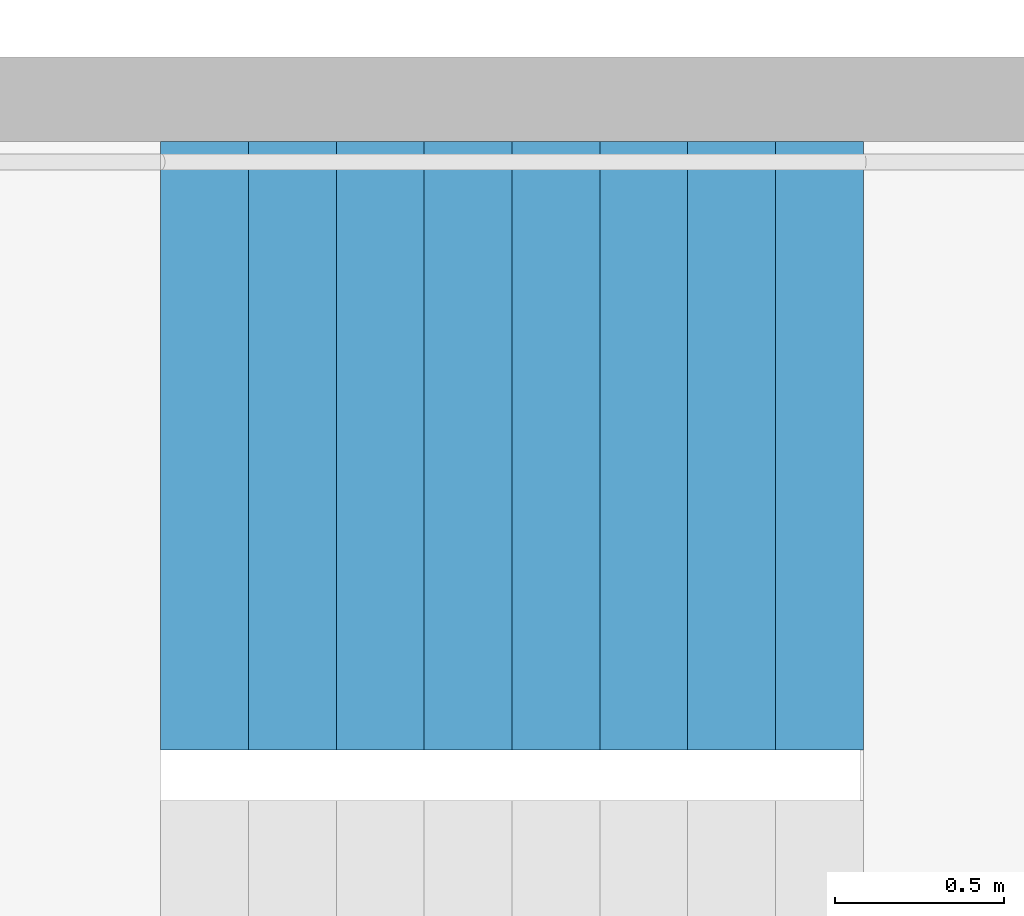
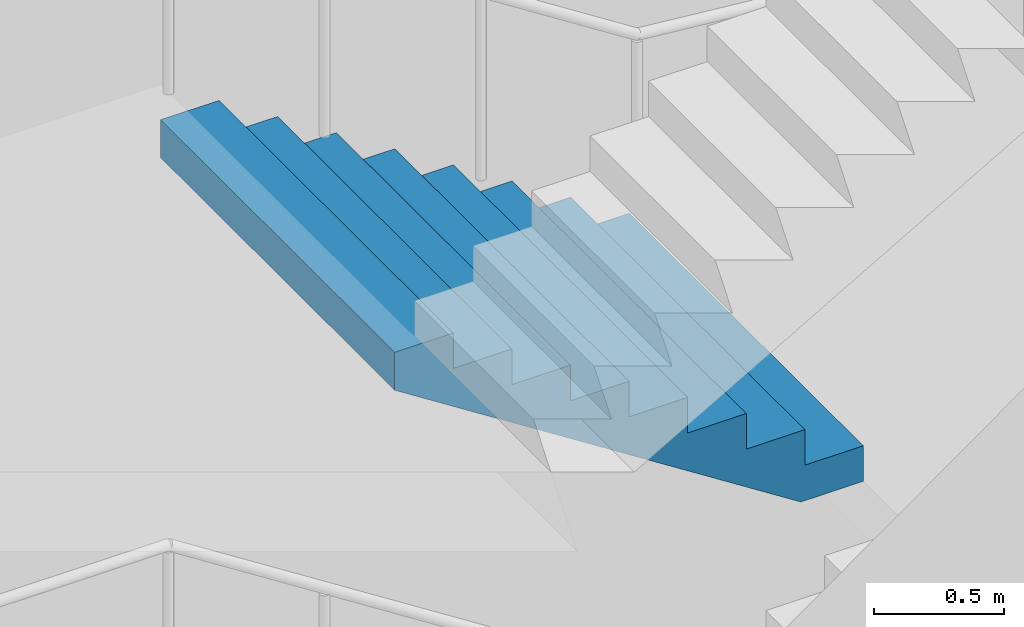
# One storey, part 21 of 35: 1 stair flight, 1 element without a shape of its own.
"""IFC4 building model written with IfcOpenShell, lengths in metres."""

from ifc_helpers import new_model, si_unit, direction, frame, origin, place, context, subcontext, project, spatial, triangles, material, type_object, element, aggregate, save


model = new_model("IFC4")

# Units and contexts
model_context = context("Model", 3, precision=1e-05, world=origin(), true_north=direction((0.0, 1.0)))
body_context = subcontext(model_context, "Body", "Model", "MODEL_VIEW")
ifc_project = project(units=[si_unit("LENGTHUNIT", "METRE"), si_unit("AREAUNIT", "SQUARE_METRE"), si_unit("VOLUMEUNIT", "CUBIC_METRE"), si_unit("PLANEANGLEUNIT", "RADIAN"), si_unit("MASSUNIT", "GRAM", prefix="KILO")], contexts=[model_context])

# Site, building, storey
site_placement = place(None, origin())
site = spatial("IfcSite", under=ifc_project, at=site_placement, CompositionType="ELEMENT")
building_placement = place(site_placement, origin())
building = spatial("IfcBuilding", under=site, at=building_placement, Name="Hakoniwa Tower and Hamabe Station Hall", CompositionType="ELEMENT")
storey_placement = place(building_placement, frame((0.0, 0.0, 264.60009765625)))
storey = spatial("IfcBuildingStorey", under=building, at=storey_placement, Name="L75", CompositionType="ELEMENT", Elevation=264.60009765625)

# Stair, stair flight
ifc_material_1 = material(Name="Concrete C40", Category="concrete")
stair_type = type_object("IfcStairType", Name="ESCAPE STAIR 1800", PredefinedType="HALF_TURN_STAIR", material=ifc_material_1)
stair_placement = place(storey_placement, origin())
stair = element("IfcStair", 1, at=stair_placement, inside=storey, type_object=stair_type, Name="Escape stair ST-2 L75", PredefinedType="HALF_TURN_STAIR")
ifc_material_2 = material(Name="Concrete C40", Category="concrete")
stair_flight_type = type_object("IfcStairFlightType", Name="STAIR FLIGHT 1800", PredefinedType="STRAIGHT", material=ifc_material_2)
stair_flight_placement = place(storey_placement, frame((-23.39990234375, -4.64990234375, 3.0), z_axis=(0.0, 0.0, 1.0), x_axis=(-1.0, 0.0, 0.0)))
stair_flight = element("IfcStairFlight", 2, at=stair_flight_placement, type_object=stair_flight_type, Name="ST-2 flight 3", NumberOfRisers=9, NumberOfTreads=8, PredefinedType="STRAIGHT", RiserHeight=0.166666667, TreadLength=0.26, context=body_context, shape_type="Tessellation", body=[
    triangles([(0.0, 0.89990234375, 0.0), (0.260009765625, 0.89990234375, 0.0), (0.27783203125, 0.89990234375, 0.0), (0.52001953125, 0.89990234375, 0.1552734375), (0.780029296875, 0.89990234375, 0.322021484375), (1.0400390625, 0.89990234375, 0.488525390625), (1.300048828125, 0.89990234375, 0.6552734375), (1.56005859375, 0.89990234375, 0.822021484375), (1.820068359375, 0.89990234375, 0.988525390625), (2.080078125, 0.89990234375, 1.1552734375), (2.080078125, 0.89990234375, 1.333251953125), (1.820068359375, 0.89990234375, 1.333251953125), (1.820068359375, 0.89990234375, 1.166748046875), (1.56005859375, 0.89990234375, 1.166748046875), (1.56005859375, 0.89990234375, 1.0), (1.300048828125, 0.89990234375, 1.0), (1.300048828125, 0.89990234375, 0.833251953125), (1.0400390625, 0.89990234375, 0.833251953125), (1.0400390625, 0.89990234375, 0.666748046875), (0.780029296875, 0.89990234375, 0.666748046875), (0.780029296875, 0.89990234375, 0.5), (0.52001953125, 0.89990234375, 0.5), (0.52001953125, 0.89990234375, 0.333251953125), (0.27783203125, 0.89990234375, 0.333251953125), (0.260009765625, 0.89990234375, 0.333251953125), (0.260009765625, 0.89990234375, 0.166748046875), (0.0, 0.89990234375, 0.166748046875), (0.0, 0.06005859375, 0.0), (0.260009765625, 0.06005859375, 0.0), (0.27783203125, 0.06005859375, 0.0), (0.52001953125, 0.06005859375, 0.1552734375), (0.780029296875, 0.06005859375, 0.322021484375), (1.0400390625, 0.06005859375, 0.488525390625), (1.300048828125, 0.06005859375, 0.6552734375), (1.56005859375, 0.06005859375, 0.822021484375), (1.820068359375, 0.06005859375, 0.988525390625), (2.080078125, 0.06005859375, 1.1552734375), (2.080078125, 0.06005859375, 1.333251953125), (1.820068359375, 0.06005859375, 1.333251953125), (1.820068359375, 0.06005859375, 1.166748046875), (1.56005859375, 0.06005859375, 1.166748046875), (1.56005859375, 0.06005859375, 1.0), (1.300048828125, 0.06005859375, 1.0), (1.300048828125, 0.06005859375, 0.833251953125), (1.0400390625, 0.06005859375, 0.833251953125), (1.0400390625, 0.06005859375, 0.666748046875), (0.780029296875, 0.06005859375, 0.666748046875), (0.780029296875, 0.06005859375, 0.5), (0.52001953125, 0.06005859375, 0.5), (0.52001953125, 0.06005859375, 0.333251953125), (0.27783203125, 0.06005859375, 0.333251953125), (0.260009765625, 0.06005859375, 0.333251953125), (0.260009765625, 0.06005859375, 0.166748046875), (0.0, 0.06005859375, 0.166748046875), (0.0, 0.04296875, 0.0), (0.260009765625, 0.04296875, 0.0), (0.27783203125, 0.04296875, 0.0), (0.52001953125, 0.04296875, 0.1552734375), (0.780029296875, 0.04296875, 0.322021484375), (1.0400390625, 0.04296875, 0.488525390625), (1.300048828125, 0.04296875, 0.6552734375), (1.56005859375, 0.04296875, 0.822021484375), (1.820068359375, 0.04296875, 0.988525390625), (2.080078125, 0.04296875, 1.1552734375), (2.080078125, 0.04296875, 1.333251953125), (1.820068359375, 0.04296875, 1.333251953125), (1.820068359375, 0.04296875, 1.166748046875), (1.56005859375, 0.04296875, 1.166748046875), (1.56005859375, 0.04296875, 1.0), (1.300048828125, 0.04296875, 1.0), (1.300048828125, 0.04296875, 0.833251953125), (1.0400390625, 0.04296875, 0.833251953125), (1.0400390625, 0.04296875, 0.666748046875), (0.780029296875, 0.04296875, 0.666748046875), (0.780029296875, 0.04296875, 0.5), (0.52001953125, 0.04296875, 0.5), (0.52001953125, 0.04296875, 0.333251953125), (0.27783203125, 0.04296875, 0.333251953125), (0.260009765625, 0.04296875, 0.333251953125), (0.260009765625, 0.04296875, 0.166748046875), (0.0, 0.04296875, 0.166748046875), (0.0, 0.025634765625, 0.0), (0.260009765625, 0.025634765625, 0.0), (0.27783203125, 0.025634765625, 0.0), (0.52001953125, 0.025634765625, 0.1552734375), (0.780029296875, 0.025634765625, 0.322021484375), (1.0400390625, 0.025634765625, 0.488525390625), (1.300048828125, 0.025634765625, 0.6552734375), (1.56005859375, 0.025634765625, 0.822021484375), (1.820068359375, 0.025634765625, 0.988525390625), (2.080078125, 0.025634765625, 1.1552734375), (2.080078125, 0.025634765625, 1.333251953125), (1.820068359375, 0.025634765625, 1.333251953125), (1.820068359375, 0.025634765625, 1.166748046875), (1.56005859375, 0.025634765625, 1.166748046875), (1.56005859375, 0.025634765625, 1.0), (1.300048828125, 0.025634765625, 1.0), (1.300048828125, 0.025634765625, 0.833251953125), (1.0400390625, 0.025634765625, 0.833251953125), (1.0400390625, 0.025634765625, 0.666748046875), (0.780029296875, 0.025634765625, 0.666748046875), (0.780029296875, 0.025634765625, 0.5), (0.52001953125, 0.025634765625, 0.5), (0.52001953125, 0.025634765625, 0.333251953125), (0.27783203125, 0.025634765625, 0.333251953125), (0.260009765625, 0.025634765625, 0.333251953125), (0.260009765625, 0.025634765625, 0.166748046875), (0.0, 0.025634765625, 0.166748046875), (0.0, 0.008544921875, 0.0), (0.260009765625, 0.008544921875, 0.0), (0.27783203125, 0.008544921875, 0.0), (0.52001953125, 0.008544921875, 0.1552734375), (0.780029296875, 0.008544921875, 0.322021484375), (1.0400390625, 0.008544921875, 0.488525390625), (1.300048828125, 0.008544921875, 0.6552734375), (1.56005859375, 0.008544921875, 0.822021484375), (1.820068359375, 0.008544921875, 0.988525390625), (2.080078125, 0.008544921875, 1.1552734375), (2.080078125, 0.008544921875, 1.333251953125), (1.820068359375, 0.008544921875, 1.333251953125), (1.820068359375, 0.008544921875, 1.166748046875), (1.56005859375, 0.008544921875, 1.166748046875), (1.56005859375, 0.008544921875, 1.0), (1.300048828125, 0.008544921875, 1.0), (1.300048828125, 0.008544921875, 0.833251953125), (1.0400390625, 0.008544921875, 0.833251953125), (1.0400390625, 0.008544921875, 0.666748046875), (0.780029296875, 0.008544921875, 0.666748046875), (0.780029296875, 0.008544921875, 0.5), (0.52001953125, 0.008544921875, 0.5), (0.52001953125, 0.008544921875, 0.333251953125), (0.27783203125, 0.008544921875, 0.333251953125), (0.260009765625, 0.008544921875, 0.333251953125), (0.260009765625, 0.008544921875, 0.166748046875), (0.0, 0.008544921875, 0.166748046875), (0.0, -0.008544921875, 0.0), (0.260009765625, -0.008544921875, 0.0), (0.27783203125, -0.008544921875, 0.0), (0.52001953125, -0.008544921875, 0.1552734375), (0.780029296875, -0.008544921875, 0.322021484375), (1.0400390625, -0.008544921875, 0.488525390625), (1.300048828125, -0.008544921875, 0.6552734375), (1.56005859375, -0.008544921875, 0.822021484375), (1.820068359375, -0.008544921875, 0.988525390625), (2.080078125, -0.008544921875, 1.1552734375), (2.080078125, -0.008544921875, 1.333251953125), (1.820068359375, -0.008544921875, 1.333251953125), (1.820068359375, -0.008544921875, 1.166748046875), (1.56005859375, -0.008544921875, 1.166748046875), (1.56005859375, -0.008544921875, 1.0), (1.300048828125, -0.008544921875, 1.0), (1.300048828125, -0.008544921875, 0.833251953125), (1.0400390625, -0.008544921875, 0.833251953125), (1.0400390625, -0.008544921875, 0.666748046875), (0.780029296875, -0.008544921875, 0.666748046875), (0.780029296875, -0.008544921875, 0.5), (0.52001953125, -0.008544921875, 0.5), (0.52001953125, -0.008544921875, 0.333251953125), (0.27783203125, -0.008544921875, 0.333251953125), (0.260009765625, -0.008544921875, 0.333251953125), (0.260009765625, -0.008544921875, 0.166748046875), (0.0, -0.008544921875, 0.166748046875), (0.0, -0.025634765625, 0.0), (0.260009765625, -0.025634765625, 0.0), (0.27783203125, -0.025634765625, 0.0), (0.52001953125, -0.025634765625, 0.1552734375), (0.780029296875, -0.025634765625, 0.322021484375), (1.0400390625, -0.025634765625, 0.488525390625), (1.300048828125, -0.025634765625, 0.6552734375), (1.56005859375, -0.025634765625, 0.822021484375), (1.820068359375, -0.025634765625, 0.988525390625), (2.080078125, -0.025634765625, 1.1552734375), (2.080078125, -0.025634765625, 1.333251953125), (1.820068359375, -0.025634765625, 1.333251953125), (1.820068359375, -0.025634765625, 1.166748046875), (1.56005859375, -0.025634765625, 1.166748046875), (1.56005859375, -0.025634765625, 1.0), (1.300048828125, -0.025634765625, 1.0), (1.300048828125, -0.025634765625, 0.833251953125), (1.0400390625, -0.025634765625, 0.833251953125), (1.0400390625, -0.025634765625, 0.666748046875), (0.780029296875, -0.025634765625, 0.666748046875), (0.780029296875, -0.025634765625, 0.5), (0.52001953125, -0.025634765625, 0.5), (0.52001953125, -0.025634765625, 0.333251953125), (0.27783203125, -0.025634765625, 0.333251953125), (0.260009765625, -0.025634765625, 0.333251953125), (0.260009765625, -0.025634765625, 0.166748046875), (0.0, -0.025634765625, 0.166748046875), (0.0, -0.04296875, 0.0), (0.260009765625, -0.04296875, 0.0), (0.27783203125, -0.04296875, 0.0), (0.52001953125, -0.04296875, 0.1552734375), (0.780029296875, -0.04296875, 0.322021484375), (1.0400390625, -0.04296875, 0.488525390625), (1.300048828125, -0.04296875, 0.6552734375), (1.56005859375, -0.04296875, 0.822021484375), (1.820068359375, -0.04296875, 0.988525390625), (2.080078125, -0.04296875, 1.1552734375), (2.080078125, -0.04296875, 1.333251953125), (1.820068359375, -0.04296875, 1.333251953125), (1.820068359375, -0.04296875, 1.166748046875), (1.56005859375, -0.04296875, 1.166748046875), (1.56005859375, -0.04296875, 1.0), (1.300048828125, -0.04296875, 1.0), (1.300048828125, -0.04296875, 0.833251953125), (1.0400390625, -0.04296875, 0.833251953125), (1.0400390625, -0.04296875, 0.666748046875), (0.780029296875, -0.04296875, 0.666748046875), (0.780029296875, -0.04296875, 0.5), (0.52001953125, -0.04296875, 0.5), (0.52001953125, -0.04296875, 0.333251953125), (0.27783203125, -0.04296875, 0.333251953125), (0.260009765625, -0.04296875, 0.333251953125), (0.260009765625, -0.04296875, 0.166748046875), (0.0, -0.04296875, 0.166748046875), (0.0, -0.06005859375, 0.0), (0.260009765625, -0.06005859375, 0.0), (0.27783203125, -0.06005859375, 0.0), (0.52001953125, -0.06005859375, 0.1552734375), (0.780029296875, -0.06005859375, 0.322021484375), (1.0400390625, -0.06005859375, 0.488525390625), (1.300048828125, -0.06005859375, 0.6552734375), (1.56005859375, -0.06005859375, 0.822021484375), (1.820068359375, -0.06005859375, 0.988525390625), (2.080078125, -0.06005859375, 1.1552734375), (2.080078125, -0.06005859375, 1.333251953125), (1.820068359375, -0.06005859375, 1.333251953125), (1.820068359375, -0.06005859375, 1.166748046875), (1.56005859375, -0.06005859375, 1.166748046875), (1.56005859375, -0.06005859375, 1.0), (1.300048828125, -0.06005859375, 1.0), (1.300048828125, -0.06005859375, 0.833251953125), (1.0400390625, -0.06005859375, 0.833251953125), (1.0400390625, -0.06005859375, 0.666748046875), (0.780029296875, -0.06005859375, 0.666748046875), (0.780029296875, -0.06005859375, 0.5), (0.52001953125, -0.06005859375, 0.5), (0.52001953125, -0.06005859375, 0.333251953125), (0.27783203125, -0.06005859375, 0.333251953125), (0.260009765625, -0.06005859375, 0.333251953125), (0.260009765625, -0.06005859375, 0.166748046875), (0.0, -0.06005859375, 0.166748046875), (0.0, -0.89990234375, 0.0), (0.260009765625, -0.89990234375, 0.0), (0.27783203125, -0.89990234375, 0.0), (0.52001953125, -0.89990234375, 0.1552734375), (0.780029296875, -0.89990234375, 0.322021484375), (1.0400390625, -0.89990234375, 0.488525390625), (1.300048828125, -0.89990234375, 0.6552734375), (1.56005859375, -0.89990234375, 0.822021484375), (1.820068359375, -0.89990234375, 0.988525390625), (2.080078125, -0.89990234375, 1.1552734375), (2.080078125, -0.89990234375, 1.333251953125), (1.820068359375, -0.89990234375, 1.333251953125), (1.820068359375, -0.89990234375, 1.166748046875), (1.56005859375, -0.89990234375, 1.166748046875), (1.56005859375, -0.89990234375, 1.0), (1.300048828125, -0.89990234375, 1.0), (1.300048828125, -0.89990234375, 0.833251953125), (1.0400390625, -0.89990234375, 0.833251953125), (1.0400390625, -0.89990234375, 0.666748046875), (0.780029296875, -0.89990234375, 0.666748046875), (0.780029296875, -0.89990234375, 0.5), (0.52001953125, -0.89990234375, 0.5), (0.52001953125, -0.89990234375, 0.333251953125), (0.27783203125, -0.89990234375, 0.333251953125), (0.260009765625, -0.89990234375, 0.333251953125), (0.260009765625, -0.89990234375, 0.166748046875), (0.0, -0.89990234375, 0.166748046875)], [[2, 27, 26], [245, 269, 270], [2, 1, 27], [245, 270, 244], [3, 25, 24], [246, 267, 268], [3, 26, 25], [246, 268, 269], [3, 2, 26], [246, 269, 245], [4, 24, 23], [247, 266, 267], [4, 3, 24], [247, 267, 246], [5, 22, 21], [248, 264, 265], [5, 23, 22], [248, 265, 266], [5, 4, 23], [248, 266, 247], [6, 20, 19], [249, 262, 263], [6, 21, 20], [249, 263, 264], [6, 5, 21], [249, 264, 248], [7, 18, 17], [250, 260, 261], [7, 19, 18], [250, 261, 262], [7, 6, 19], [250, 262, 249], [8, 16, 15], [251, 258, 259], [8, 17, 16], [251, 259, 260], [8, 7, 17], [251, 260, 250], [9, 14, 13], [252, 256, 257], [9, 15, 14], [252, 257, 258], [9, 8, 15], [252, 258, 251], [10, 12, 11], [253, 254, 255], [10, 13, 12], [253, 255, 256], [10, 9, 13], [253, 256, 252], [1, 2, 29], [1, 29, 28], [28, 29, 56], [28, 56, 55], [55, 56, 83], [55, 83, 82], [82, 83, 110], [82, 110, 109], [109, 110, 137], [109, 137, 136], [136, 137, 164], [136, 164, 163], [163, 164, 191], [163, 191, 190], [190, 191, 218], [190, 218, 217], [217, 218, 245], [217, 245, 244], [2, 3, 30], [2, 30, 29], [29, 30, 57], [29, 57, 56], [56, 57, 84], [56, 84, 83], [83, 84, 111], [83, 111, 110], [110, 111, 138], [110, 138, 137], [137, 138, 165], [137, 165, 164], [164, 165, 192], [164, 192, 191], [191, 192, 219], [191, 219, 218], [218, 219, 246], [218, 246, 245], [3, 4, 31], [3, 31, 30], [30, 31, 58], [30, 58, 57], [57, 58, 85], [57, 85, 84], [84, 85, 112], [84, 112, 111], [111, 112, 139], [111, 139, 138], [138, 139, 166], [138, 166, 165], [165, 166, 193], [165, 193, 192], [192, 193, 220], [192, 220, 219], [219, 220, 247], [219, 247, 246], [4, 5, 32], [4, 32, 31], [31, 32, 59], [31, 59, 58], [58, 59, 86], [58, 86, 85], [85, 86, 113], [85, 113, 112], [112, 113, 140], [112, 140, 139], [139, 140, 167], [139, 167, 166], [166, 167, 194], [166, 194, 193], [193, 194, 221], [193, 221, 220], [220, 221, 248], [220, 248, 247], [5, 6, 33], [5, 33, 32], [32, 33, 60], [32, 60, 59], [59, 60, 87], [59, 87, 86], [86, 87, 114], [86, 114, 113], [113, 114, 141], [113, 141, 140], [140, 141, 168], [140, 168, 167], [167, 168, 195], [167, 195, 194], [194, 195, 222], [194, 222, 221], [221, 222, 249], [221, 249, 248], [6, 7, 34], [6, 34, 33], [33, 34, 61], [33, 61, 60], [60, 61, 88], [60, 88, 87], [87, 88, 115], [87, 115, 114], [114, 115, 142], [114, 142, 141], [141, 142, 169], [141, 169, 168], [168, 169, 196], [168, 196, 195], [195, 196, 223], [195, 223, 222], [222, 223, 250], [222, 250, 249], [7, 8, 35], [7, 35, 34], [34, 35, 62], [34, 62, 61], [61, 62, 89], [61, 89, 88], [88, 89, 116], [88, 116, 115], [115, 116, 143], [115, 143, 142], [142, 143, 170], [142, 170, 169], [169, 170, 197], [169, 197, 196], [196, 197, 224], [196, 224, 223], [223, 224, 251], [223, 251, 250], [8, 9, 36], [8, 36, 35], [35, 36, 63], [35, 63, 62], [62, 63, 90], [62, 90, 89], [89, 90, 117], [89, 117, 116], [116, 117, 144], [116, 144, 143], [143, 144, 171], [143, 171, 170], [170, 171, 198], [170, 198, 197], [197, 198, 225], [197, 225, 224], [224, 225, 252], [224, 252, 251], [9, 10, 37], [9, 37, 36], [36, 37, 64], [36, 64, 63], [63, 64, 91], [63, 91, 90], [90, 91, 118], [90, 118, 117], [117, 118, 145], [117, 145, 144], [144, 145, 172], [144, 172, 171], [171, 172, 199], [171, 199, 198], [198, 199, 226], [198, 226, 225], [225, 226, 253], [225, 253, 252], [10, 11, 38], [10, 38, 37], [37, 38, 65], [37, 65, 64], [64, 65, 92], [64, 92, 91], [91, 92, 119], [91, 119, 118], [118, 119, 146], [118, 146, 145], [145, 146, 173], [145, 173, 172], [172, 173, 200], [172, 200, 199], [199, 200, 227], [199, 227, 226], [226, 227, 254], [226, 254, 253], [11, 12, 39], [11, 39, 38], [38, 39, 66], [38, 66, 65], [65, 66, 93], [65, 93, 92], [92, 93, 120], [92, 120, 119], [119, 120, 147], [119, 147, 146], [146, 147, 174], [146, 174, 173], [173, 174, 201], [173, 201, 200], [200, 201, 228], [200, 228, 227], [227, 228, 255], [227, 255, 254], [12, 13, 40], [12, 40, 39], [39, 40, 67], [39, 67, 66], [66, 67, 94], [66, 94, 93], [93, 94, 121], [93, 121, 120], [120, 121, 148], [120, 148, 147], [147, 148, 175], [147, 175, 174], [174, 175, 202], [174, 202, 201], [201, 202, 229], [201, 229, 228], [228, 229, 256], [228, 256, 255], [13, 14, 41], [13, 41, 40], [40, 41, 68], [40, 68, 67], [67, 68, 95], [67, 95, 94], [94, 95, 122], [94, 122, 121], [121, 122, 149], [121, 149, 148], [148, 149, 176], [148, 176, 175], [175, 176, 203], [175, 203, 202], [202, 203, 230], [202, 230, 229], [229, 230, 257], [229, 257, 256], [14, 15, 42], [14, 42, 41], [41, 42, 69], [41, 69, 68], [68, 69, 96], [68, 96, 95], [95, 96, 123], [95, 123, 122], [122, 123, 150], [122, 150, 149], [149, 150, 177], [149, 177, 176], [176, 177, 204], [176, 204, 203], [203, 204, 231], [203, 231, 230], [230, 231, 258], [230, 258, 257], [15, 16, 43], [15, 43, 42], [42, 43, 70], [42, 70, 69], [69, 70, 97], [69, 97, 96], [96, 97, 124], [96, 124, 123], [123, 124, 151], [123, 151, 150], [150, 151, 178], [150, 178, 177], [177, 178, 205], [177, 205, 204], [204, 205, 232], [204, 232, 231], [231, 232, 259], [231, 259, 258], [16, 17, 44], [16, 44, 43], [43, 44, 71], [43, 71, 70], [70, 71, 98], [70, 98, 97], [97, 98, 125], [97, 125, 124], [124, 125, 152], [124, 152, 151], [151, 152, 179], [151, 179, 178], [178, 179, 206], [178, 206, 205], [205, 206, 233], [205, 233, 232], [232, 233, 260], [232, 260, 259], [17, 18, 45], [17, 45, 44], [44, 45, 72], [44, 72, 71], [71, 72, 99], [71, 99, 98], [98, 99, 126], [98, 126, 125], [125, 126, 153], [125, 153, 152], [152, 153, 180], [152, 180, 179], [179, 180, 207], [179, 207, 206], [206, 207, 234], [206, 234, 233], [233, 234, 261], [233, 261, 260], [18, 19, 46], [18, 46, 45], [45, 46, 73], [45, 73, 72], [72, 73, 100], [72, 100, 99], [99, 100, 127], [99, 127, 126], [126, 127, 154], [126, 154, 153], [153, 154, 181], [153, 181, 180], [180, 181, 208], [180, 208, 207], [207, 208, 235], [207, 235, 234], [234, 235, 262], [234, 262, 261], [19, 20, 47], [19, 47, 46], [46, 47, 74], [46, 74, 73], [73, 74, 101], [73, 101, 100], [100, 101, 128], [100, 128, 127], [127, 128, 155], [127, 155, 154], [154, 155, 182], [154, 182, 181], [181, 182, 209], [181, 209, 208], [208, 209, 236], [208, 236, 235], [235, 236, 263], [235, 263, 262], [20, 21, 48], [20, 48, 47], [47, 48, 75], [47, 75, 74], [74, 75, 102], [74, 102, 101], [101, 102, 129], [101, 129, 128], [128, 129, 156], [128, 156, 155], [155, 156, 183], [155, 183, 182], [182, 183, 210], [182, 210, 209], [209, 210, 237], [209, 237, 236], [236, 237, 264], [236, 264, 263], [21, 22, 49], [21, 49, 48], [48, 49, 76], [48, 76, 75], [75, 76, 103], [75, 103, 102], [102, 103, 130], [102, 130, 129], [129, 130, 157], [129, 157, 156], [156, 157, 184], [156, 184, 183], [183, 184, 211], [183, 211, 210], [210, 211, 238], [210, 238, 237], [237, 238, 265], [237, 265, 264], [22, 23, 50], [22, 50, 49], [49, 50, 77], [49, 77, 76], [76, 77, 104], [76, 104, 103], [103, 104, 131], [103, 131, 130], [130, 131, 158], [130, 158, 157], [157, 158, 185], [157, 185, 184], [184, 185, 212], [184, 212, 211], [211, 212, 239], [211, 239, 238], [238, 239, 266], [238, 266, 265], [23, 24, 51], [23, 51, 50], [50, 51, 78], [50, 78, 77], [77, 78, 105], [77, 105, 104], [104, 105, 132], [104, 132, 131], [131, 132, 159], [131, 159, 158], [158, 159, 186], [158, 186, 185], [185, 186, 213], [185, 213, 212], [212, 213, 240], [212, 240, 239], [239, 240, 267], [239, 267, 266], [24, 25, 52], [24, 52, 51], [51, 52, 79], [51, 79, 78], [78, 79, 106], [78, 106, 105], [105, 106, 133], [105, 133, 132], [132, 133, 160], [132, 160, 159], [159, 160, 187], [159, 187, 186], [186, 187, 214], [186, 214, 213], [213, 214, 241], [213, 241, 240], [240, 241, 268], [240, 268, 267], [25, 26, 53], [25, 53, 52], [52, 53, 80], [52, 80, 79], [79, 80, 107], [79, 107, 106], [106, 107, 134], [106, 134, 133], [133, 134, 161], [133, 161, 160], [160, 161, 188], [160, 188, 187], [187, 188, 215], [187, 215, 214], [214, 215, 242], [214, 242, 241], [241, 242, 269], [241, 269, 268], [26, 27, 54], [26, 54, 53], [53, 54, 81], [53, 81, 80], [80, 81, 108], [80, 108, 107], [107, 108, 135], [107, 135, 134], [134, 135, 162], [134, 162, 161], [161, 162, 189], [161, 189, 188], [188, 189, 216], [188, 216, 215], [215, 216, 243], [215, 243, 242], [242, 243, 270], [242, 270, 269], [27, 1, 28], [27, 28, 54], [54, 28, 55], [54, 55, 81], [81, 55, 82], [81, 82, 108], [108, 82, 109], [108, 109, 135], [135, 109, 136], [135, 136, 162], [162, 136, 163], [162, 163, 189], [189, 163, 190], [189, 190, 216], [216, 190, 217], [216, 217, 243], [243, 217, 244], [243, 244, 270]], closed=True),
])
aggregate(stair, [stair_flight])

save(model, "model.ifc")
